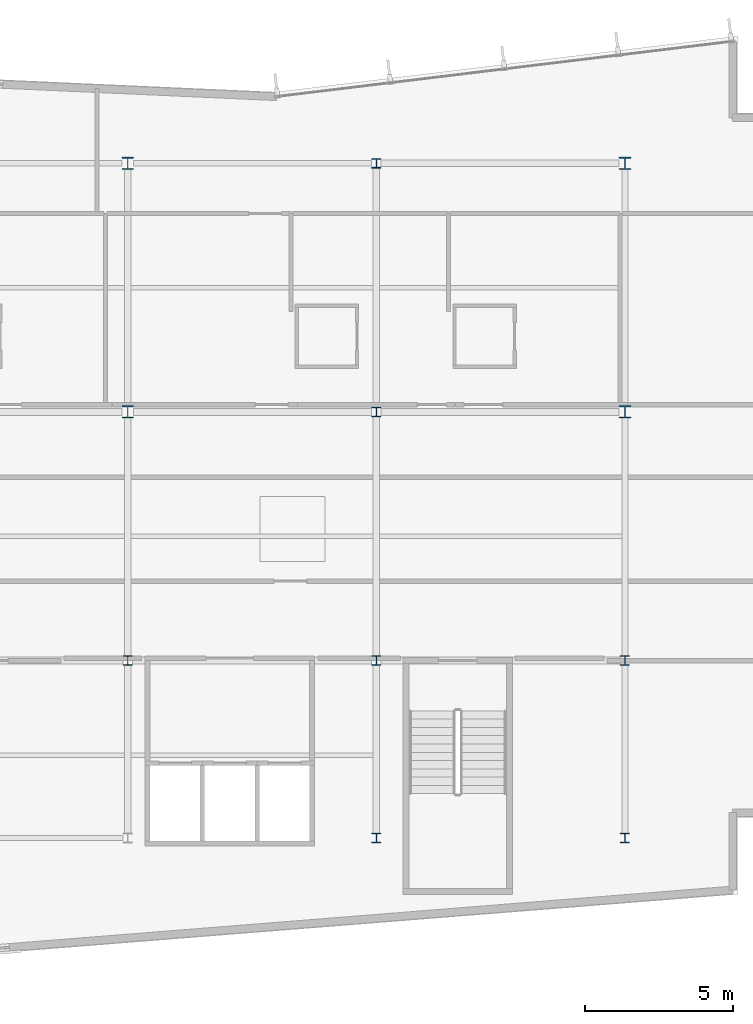
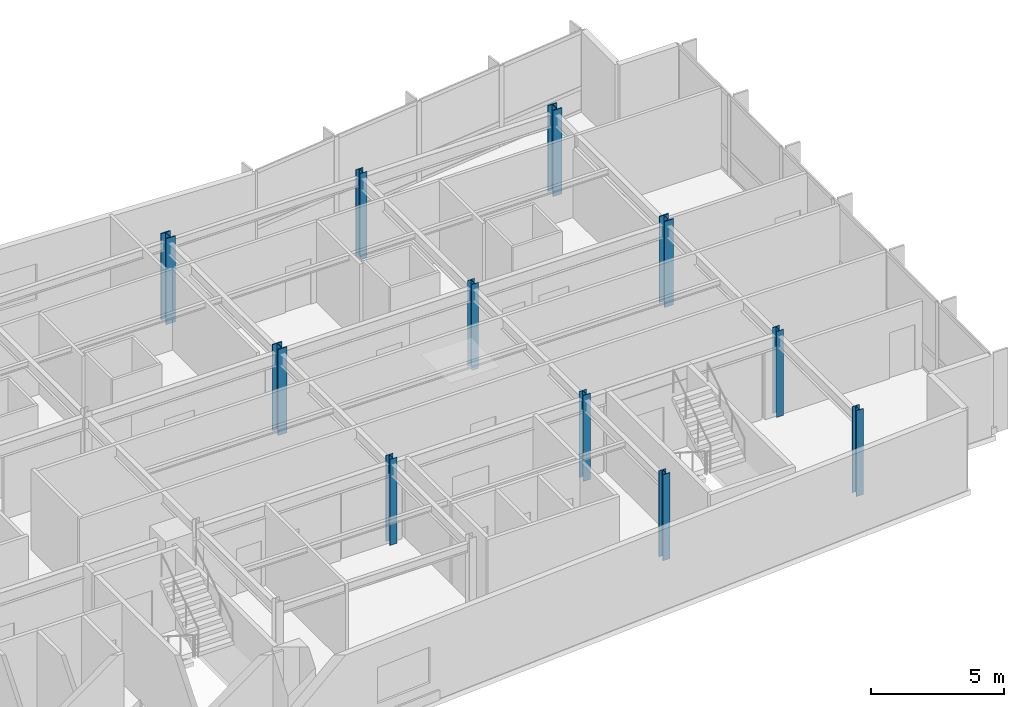
# One storey, part 2 of 18: 11 columns.
"""IFC4 building model written with IfcOpenShell, lengths in metres."""

from ifc_helpers import new_model, si_unit, direction, frame, origin, origin_2d, place, context, subcontext, project, spatial, i_section, extrude, material, material_profile, profile_set, type_object, element, save


model = new_model("IFC4")

# Units and contexts
model_context = context("Model", 3, precision=1e-05, world=origin(), true_north=direction((0.0, 1.0)))
body_context = subcontext(model_context, "Body", "Model", "MODEL_VIEW")
ifc_project = project(units=[si_unit("LENGTHUNIT", "METRE"), si_unit("AREAUNIT", "SQUARE_METRE"), si_unit("VOLUMEUNIT", "CUBIC_METRE"), si_unit("PLANEANGLEUNIT", "RADIAN"), si_unit("MASSUNIT", "GRAM", prefix="KILO")], contexts=[model_context])

# Site, building, storey
site_placement = place(None, origin())
site = spatial("IfcSite", under=ifc_project, at=site_placement, CompositionType="ELEMENT")
building_placement = place(site_placement, origin())
building = spatial("IfcBuilding", under=site, at=building_placement, Name="Varnakote Quay Hospital", CompositionType="ELEMENT")
storey_placement = place(building_placement, frame((0.0, 0.0, 138.89990234375)))
storey = spatial("IfcBuildingStorey", under=building, at=storey_placement, Name="L34", CompositionType="ELEMENT", Elevation=138.89990234375)

# Columns
ifc_material_1 = material(Name="Structural steel AS/NZS 3679.1 Grade 350 L0 (fy 340 MPa)", Category="steel")
ifc_material_profile_1 = material_profile(ifc_material_1, i_section(OverallWidth=0.30908203125, OverallDepth=0.321044921875, WebThickness=0.013916015625, FlangeThickness=0.021728515625, FilletRadius=0.0166015625, at=origin_2d()), Name="310UC137")
ifc_profile_set_1 = profile_set([ifc_material_profile_1], Name="Structural steel AS/NZS 3679.1 Grade 350 L0 (fy 340 MPa)")
column_type_1 = type_object("IfcColumnType", Name="COL-STL-310UC137", PredefinedType="COLUMN", material=ifc_profile_set_1)
for number, where, z_axis, x_axis, name in (
    (1, (42.0, 6.0, 0.0), (0.0, 0.0, 1.0), (1.0, 0.0, 0.0), "L34 Structural Column C-42-6"),
    (2, (50.39990234375, 6.0, 0.0), (0.0, 0.0, 1.0), (1.0, 0.0, 0.0), "L34 Structural Column C-50-6"),
    (3, (33.60009765625, 12.0, 0.0), (0.0, 0.0, 1.0), (1.0, 0.0, 0.0), "L34 Structural Column C-34-12"),
    (4, (42.0, 12.0, 0.0), (0.0, 0.0, 1.0), (1.0, 0.0, 0.0), "L34 Structural Column C-42-12"),
    (5, (50.39990234375, 12.0, 0.0), (0.0, 0.0, 1.0), (1.0, 0.0, 0.0), "L34 Structural Column C-50-12"),
    (6, (42.0, 20.39990234375, 0.0), (0.0, 0.0, 1.0), (1.0, 0.0, 0.0), "L34 Structural Column C-42-20"),
    (7, (42.0, 28.800048828125, 0.0), (0.0, 0.0, 1.0), (1.0, 0.0, 0.0), "L34 Structural Column C-42-29"),
):
    element("IfcColumn", number, at=place(storey_placement, frame(where, z_axis=z_axis, x_axis=x_axis)), inside=storey, type_object=column_type_1, Name=name, PredefinedType="COLUMN", context=body_context, shape_type="SweptSolid", body=[
        extrude(i_section(OverallWidth=0.30908203125, OverallDepth=0.321044921875, WebThickness=0.013916015625, FlangeThickness=0.021728515625, FilletRadius=0.0166015625, at=origin_2d()), origin(), (0.0, 0.0, 1.0), 3.9501953125),
    ])
ifc_material_2 = material(Name="Structural steel AS/NZS 3678 Grade 350 (fy 340 MPa)", Category="steel")
ifc_material_profile_2 = material_profile(ifc_material_2, i_section(OverallWidth=0.39990234375, OverallDepth=0.419921875, WebThickness=0.02490234375, FlangeThickness=0.0400390625, at=origin_2d()), Name="400WC328")
ifc_profile_set_2 = profile_set([ifc_material_profile_2], Name="Structural steel AS/NZS 3678 Grade 350 (fy 340 MPa)")
column_type_2 = type_object("IfcColumnType", Name="COL-STL-400WC328", PredefinedType="COLUMN", material=ifc_profile_set_2)
for number, where, z_axis, x_axis, name in (
    (8, (33.60009765625, 20.39990234375, 0.0), (0.0, 0.0, 1.0), (1.0, 0.0, 0.0), "L34 Structural Column C-34-20"),
    (9, (50.39990234375, 20.39990234375, 0.0), (0.0, 0.0, 1.0), (1.0, 0.0, 0.0), "L34 Structural Column C-50-20"),
    (10, (33.60009765625, 28.800048828125, 0.0), (0.0, 0.0, 1.0), (1.0, 0.0, 0.0), "L34 Structural Column C-34-29"),
    (11, (50.39990234375, 28.800048828125, 0.0), (0.0, 0.0, 1.0), (1.0, 0.0, 0.0), "L34 Structural Column C-50-29"),
):
    element("IfcColumn", number, at=place(storey_placement, frame(where, z_axis=z_axis, x_axis=x_axis)), inside=storey, type_object=column_type_2, Name=name, PredefinedType="COLUMN", context=body_context, shape_type="SweptSolid", body=[
        extrude(i_section(OverallWidth=0.39990234375, OverallDepth=0.419921875, WebThickness=0.02490234375, FlangeThickness=0.0400390625, at=origin_2d()), origin(), (0.0, 0.0, 1.0), 3.9501953125),
    ])

save(model, "model.ifc")
